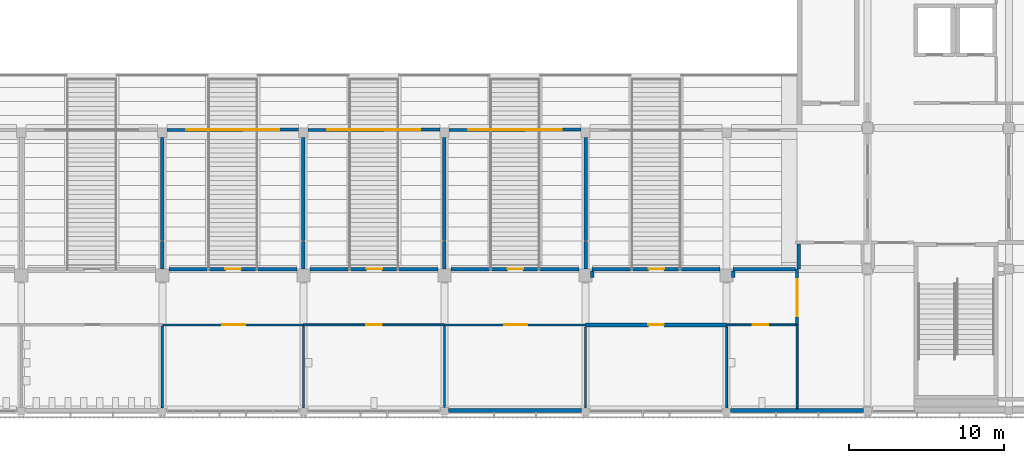
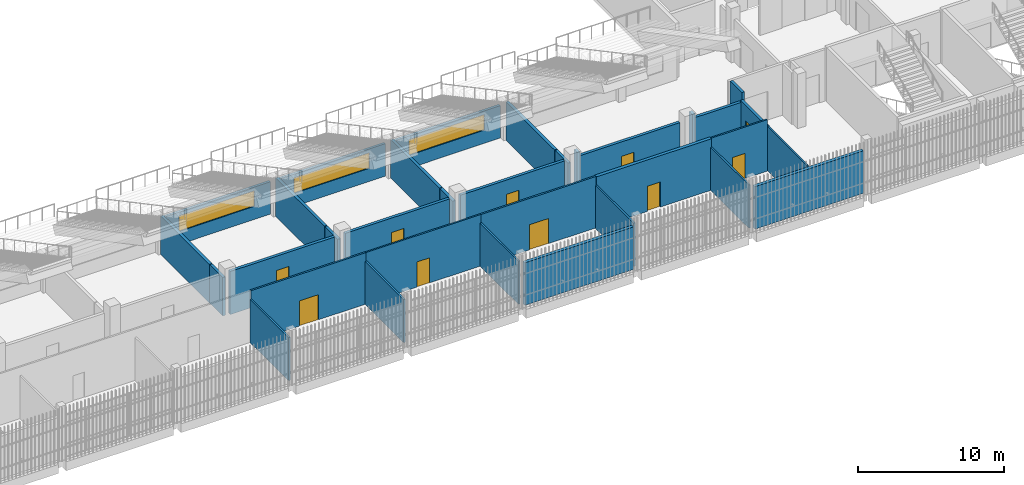
# One storey, part 78 of 139: 33 walls, 10 doors, 3 windows, 13 openings.
"""IFC4 building model written with IfcOpenShell, lengths in metres."""

import ifcopenshell
import ifcopenshell.guid

model = None  # the IFC model being written
_history = None  # IfcOwnerHistory: only IFC2X3 demands one
_inside = {}  # id of a spatial element -> (the spatial element, [elements in it])
_under = {}  # id of a project, library or spatial element -> (it, [spatial elements below it])
_declared = {}  # id of a project -> (the project, [libraries it declares])
_typed = {}  # id of a type object -> (the type object, [elements of that type])
_made_of = {}  # id of a material, layer set ... -> (it, [elements and type objects made of it])


def new_model(schema):
    """Start an empty IFC model of exactly this schema.

    Asked for "IFC4X3", IfcOpenShell would pick the latest addendum, in which some entities
    have other attributes; the version numbers below select the first issue.
    IFC2X3 requires an IfcOwnerHistory on every rooted entity: one is made here for all.
    """
    global model, _history
    if schema == "IFC4X3":
        model = ifcopenshell.file(schema_version=(4, 3, 0, 0))
    else:
        model = ifcopenshell.file(schema=schema)
    _inside.clear()
    _under.clear()
    _declared.clear()
    _typed.clear()
    _made_of.clear()
    _history = None
    if model.schema == "IFC2X3":
        org = make("IfcOrganization", Name="unknown")
        user = make(
            "IfcPersonAndOrganization",
            ThePerson=make("IfcPerson", FamilyName="unknown"),
            TheOrganization=org,
        )
        app = make(
            "IfcApplication",
            ApplicationDeveloper=org,
            Version="unknown",
            ApplicationFullName="unknown",
            ApplicationIdentifier="unknown",
        )
        _history = make(
            "IfcOwnerHistory",
            OwningUser=user,
            OwningApplication=app,
            ChangeAction="ADDED",
            CreationDate=0,
        )
    return model


def make(cls, **values):
    """One entity of the class cls with the attributes given. An attribute that is None is left unset."""
    return model.create_entity(
        cls, **{name: value for name, value in values.items() if value is not None}
    )


def rooted(cls, **values):
    """An entity with a GlobalId (a new one), such as an element, a storey or a relation."""
    return make(cls, GlobalId=ifcopenshell.guid.new(), OwnerHistory=_history, **values)


def si_unit(unit_type, name, prefix=None):
    """IfcSIUnit, for example si_unit("LENGTHUNIT", "METRE", prefix="MILLI")."""
    return make("IfcSIUnit", UnitType=unit_type, Prefix=prefix, Name=name)


def assignment(units):
    """IfcUnitAssignment: the units of a project."""
    return None if units is None else make("IfcUnitAssignment", Units=units)


def point(xyz):
    """IfcCartesianPoint."""
    return None if xyz is None else make("IfcCartesianPoint", Coordinates=xyz)


def direction(xyz):
    """IfcDirection."""
    return None if xyz is None else make("IfcDirection", DirectionRatios=xyz)


def frame(location, z_axis=None, x_axis=None):
    """IfcAxis2Placement3D, a coordinate frame: its origin and axes. An axis left out is left unset."""
    return make(
        "IfcAxis2Placement3D",
        Location=point(location),
        Axis=direction(z_axis),
        RefDirection=direction(x_axis),
    )


def frame_2d(location, x_axis=None):
    """IfcAxis2Placement2D, a coordinate frame in the plane: its origin and x axis."""
    return make(
        "IfcAxis2Placement2D", Location=point(location), RefDirection=direction(x_axis)
    )


def origin():
    """The frame at (0, 0, 0) with its axes left unset."""
    return frame((0.0, 0.0, 0.0))


def place(relative_to, where):
    """IfcLocalPlacement: puts the frame where relative to a parent placement (None: the world)."""
    return make(
        "IfcLocalPlacement", PlacementRelTo=relative_to, RelativePlacement=where
    )


def context(
    kind, dimensions, precision=None, world=None, true_north=None, identifier=None
):
    """IfcGeometricRepresentationContext, for example the 3D "Model" context."""
    return make(
        "IfcGeometricRepresentationContext",
        ContextIdentifier=identifier,
        ContextType=kind,
        CoordinateSpaceDimension=dimensions,
        Precision=precision,
        WorldCoordinateSystem=world,
        TrueNorth=true_north,
    )


def subcontext(parent, identifier, kind, view, scale=None):
    """IfcGeometricRepresentationSubContext, for example "Body" below "Model"."""
    return make(
        "IfcGeometricRepresentationSubContext",
        ContextIdentifier=identifier,
        ContextType=kind,
        ParentContext=parent,
        TargetScale=scale,
        TargetView=view,
    )


def project(units=None, contexts=None):
    """IfcProject with its units and contexts."""
    return rooted(
        "IfcProject",
        Name="project",
        RepresentationContexts=contexts,
        UnitsInContext=assignment(units),
    )


def spatial(cls, under=None, at=None, **own):
    """A site, building, storey or space (cls), placed at a placement, below another one or the project."""
    s = rooted(cls, ObjectPlacement=at, **own)
    if under is not None:
        _under.setdefault(under.id(), (under, []))[1].append(s)
    return s


def profile(cls, at=None, kind="AREA", **sizes):
    """A parametric profile (cls). Its sizes go by their IFC names, for example OverallWidth=200.0."""
    return make(cls, ProfileType=kind, Position=at, **sizes)


def rectangle(**sizes):
    """IfcRectangleProfileDef."""
    return profile("IfcRectangleProfileDef", **sizes)


def extrude(swept, where, along, depth):
    """IfcExtrudedAreaSolid: the profile swept, set in the frame where, extruded along a direction by depth."""
    return make(
        "IfcExtrudedAreaSolid",
        SweptArea=swept,
        Position=where,
        ExtrudedDirection=direction(along),
        Depth=depth,
    )


def shape(context_of_items, identifier, shape_type, items):
    """IfcShapeRepresentation: the items that make up one representation, for example the "Body"."""
    return make(
        "IfcShapeRepresentation",
        ContextOfItems=context_of_items,
        RepresentationIdentifier=identifier,
        RepresentationType=shape_type,
        Items=items,
    )


def material(Name=None, Category=None):
    """IfcMaterial."""
    return make("IfcMaterial", Name=Name, Category=Category)


def layer(
    of_material, thickness, ventilated=None, Name=None, Category=None, Priority=None
):
    """IfcMaterialLayer: one layer of a wall or slab, of a material (None: an air gap)."""
    return make(
        "IfcMaterialLayer",
        Material=of_material,
        LayerThickness=thickness,
        IsVentilated=ventilated,
        Name=Name,
        Category=Category,
        Priority=Priority,
    )


def layer_set(layers, Name=None):
    """IfcMaterialLayerSet."""
    return make("IfcMaterialLayerSet", MaterialLayers=layers, LayerSetName=Name)


def made_of(thing, what):
    """Note that an element or type object is made of a material, layer set ...; save() writes the relation."""
    if what is not None:
        _made_of.setdefault(what.id(), (what, []))[1].append(thing)
    return thing


def type_object(cls, material=None, **own):
    """A type object (cls), such as IfcWallType, which elements share."""
    return made_of(rooted(cls, **own), material)


def element(
    cls,
    number,
    at=None,
    inside=None,
    cuts=None,
    type_object=None,
    material=None,
    context=None,
    identifier="Body",
    shape_type=None,
    held_by="IfcProductDefinitionShape",
    body=None,
    shapes=None,
    **own,
):
    """One element of the class cls, such as IfcWall. Its Tag is "e" and its number.

    at: its placement. inside: the storey or other place that contains it. cuts: it is an
    opening in that element (IfcRelVoidsElement). A single representation is given by context,
    identifier, shape_type and body (its items); several are given by shapes. held_by: the class
    of the entity that holds the representations. save() writes the other relations.
    """
    e = rooted(cls, Tag="e%d" % number, ObjectPlacement=at, **own)
    if body is not None:
        shapes = [shape(context, identifier, shape_type, body)]
    if shapes is not None:
        e.Representation = make(held_by, Representations=shapes)
    if inside is not None:
        _inside.setdefault(inside.id(), (inside, []))[1].append(e)
    if cuts is not None:
        rooted(
            "IfcRelVoidsElement", RelatingBuildingElement=cuts, RelatedOpeningElement=e
        )
    if type_object is not None:
        _typed.setdefault(type_object.id(), (type_object, []))[1].append(e)
    return made_of(e, material)


def fill(opening, filler):
    """IfcRelFillsElement: the door or window that sits in an opening."""
    return rooted(
        "IfcRelFillsElement",
        RelatingOpeningElement=opening,
        RelatedBuildingElement=filler,
    )


def aggregate(whole, parts):
    """IfcRelAggregates: a whole, such as a stair, and the parts it consists of."""
    return rooted("IfcRelAggregates", RelatingObject=whole, RelatedObjects=parts)


def save(model, path):
    """Write the relations noted so far, then the file.

    IfcRelAggregates (storeys below a building ...), IfcRelContainedInSpatialStructure (elements
    in a storey), IfcRelDefinesByType, IfcRelAssociatesMaterial and IfcRelDeclares: one each for
    every whole, place, type object, material and project.
    """
    for whole, parts in _under.values():
        aggregate(whole, parts)
    for where, things in _inside.values():
        rooted(
            "IfcRelContainedInSpatialStructure",
            RelatedElements=things,
            RelatingStructure=where,
        )
    for kind, things in _typed.values():
        rooted("IfcRelDefinesByType", RelatedObjects=things, RelatingType=kind)
    for what, things in _made_of.values():
        rooted("IfcRelAssociatesMaterial", RelatedObjects=things, RelatingMaterial=what)
    for by, libraries in _declared.values():
        rooted("IfcRelDeclares", RelatingContext=by, RelatedDefinitions=libraries)
    model.write(path)


model = new_model("IFC4")

# Units and contexts
model_context = context("Model", 3, precision=1e-05, world=origin(), true_north=direction((0.0, 1.0)))
body_context = subcontext(model_context, "Body", "Model", "MODEL_VIEW")
ifc_project = project(units=[si_unit("LENGTHUNIT", "METRE"), si_unit("AREAUNIT", "SQUARE_METRE"), si_unit("VOLUMEUNIT", "CUBIC_METRE"), si_unit("PLANEANGLEUNIT", "RADIAN"), si_unit("MASSUNIT", "GRAM", prefix="KILO")], contexts=[model_context])

# Site, building, storey
site_placement = place(None, origin())
site = spatial("IfcSite", under=ifc_project, at=site_placement, CompositionType="ELEMENT")
building_placement = place(site_placement, origin())
building = spatial("IfcBuilding", under=site, at=building_placement, Name="Shirokan Park Arena", CompositionType="ELEMENT")
storey_placement = place(building_placement, frame((0.0, 0.0, 15.469970703125)))
storey = spatial("IfcBuildingStorey", under=building, at=storey_placement, Name="L03", CompositionType="ELEMENT", Elevation=15.469970703125)

# Wall, opening, window
ifc_material_1 = material(Name="Cedar timber lining", Category="wood")
ifc_layer_1 = layer(ifc_material_1, 0.02001953125, Name="Cedar timber lining")
ifc_material_2 = material(Name="Plywood", Category="wood")
ifc_layer_2 = layer(ifc_material_2, 0.01806640625, Name="Plywood")
ifc_material_3 = material(Name="Mineral wool insulation")
ifc_layer_3 = layer(ifc_material_3, 0.14208984375, Name="Mineral wool insulation")
ifc_material_4 = material(Name="Gypsum board")
ifc_layer_4 = layer(ifc_material_4, 0.02001953125, Name="Gypsum board")
ifc_layer_set_1 = layer_set([ifc_layer_1, ifc_layer_2, ifc_layer_3, ifc_layer_4], Name="Cedar timber lining + Plywood + Mineral wool insulation + Gypsum board")
wall_type_1 = type_object("IfcWallType", Name="Bowl front wall 200", PredefinedType="PARTITIONING", material=ifc_layer_set_1)
wall_1_placement = place(storey_placement, frame((64.0, 18.071044921875, 0.0), z_axis=(0.0, 0.0, 1.0), x_axis=(0.999994544879, 0.003303061025, 0.0)))
wall_1 = element("IfcWall", 1, at=wall_1_placement, inside=storey, type_object=wall_type_1, Name="Bowl front wall 200 L03", PredefinedType="PARTITIONING", context=body_context, shape_type="SweptSolid", body=[
    extrude(rectangle(XDim=8.5, YDim=0.199951171875, at=frame_2d((4.25, 0.0))), origin(), (0.0, 0.0, 1.0), 2.7099609375),
])
opening_1_placement = place(wall_1_placement, frame((1.25, 0.0, 1.10009765625)))
opening_1 = element("IfcOpeningElement", 2, at=opening_1_placement, cuts=wall_1, Name="Opening W8", PredefinedType="OPENING", context=body_context, shape_type="SweptSolid", body=[
    extrude(rectangle(XDim=6.0, YDim=1.300048828125, at=frame_2d((3.0, 0.64990234375))), frame((0.0, 0.10986328125, 0.0), z_axis=(0.0, -1.0, 0.0), x_axis=(1.0, 0.0, 0.0)), (0.0, 0.0, 1.0), 0.219970703125),
])
ifc_material_5 = material(Name="Aluminium frame with laminated glass", Category="aluminium")
window_type = type_object("IfcWindowType", Name="Suite viewing window 6000 x 1300", PartitioningType="SINGLE_PANEL", PredefinedType="WINDOW", material=ifc_material_5)
window_1_placement = place(opening_1_placement, origin())
window_1 = element("IfcWindow", 3, at=window_1_placement, inside=storey, type_object=window_type, Name="Suite viewing window 6000 x 1300 L03", OverallHeight=1.300048828125, OverallWidth=6.0, PartitioningType="SINGLE_PANEL", PredefinedType="WINDOW", context=body_context, shape_type="SweptSolid", body=[
    extrude(rectangle(XDim=6.0, YDim=1.300048828125, at=frame_2d((3.0, 0.64990234375))), frame((0.0, 0.030029296875, 0.0), z_axis=(0.0, -1.0, 0.0), x_axis=(1.0, 0.0, 0.0)), (0.0, 0.0, 1.0), 0.06005859375),
])
fill(opening_1, window_1)

wall_2_placement = place(storey_placement, frame((73.10009765625, 18.071044921875, 0.0), z_axis=(0.0, 0.0, 1.0), x_axis=(0.999994544879, 0.003303061025, 0.0)))
wall_2 = element("IfcWall", 4, at=wall_2_placement, inside=storey, type_object=wall_type_1, Name="Bowl front wall 200 L03", PredefinedType="PARTITIONING", context=body_context, shape_type="SweptSolid", body=[
    extrude(rectangle(XDim=8.5, YDim=0.199951171875, at=frame_2d((4.25, 0.0))), origin(), (0.0, 0.0, 1.0), 2.7099609375),
])
opening_2_placement = place(wall_2_placement, frame((1.25, 0.0, 1.10009765625)))
opening_2 = element("IfcOpeningElement", 5, at=opening_2_placement, cuts=wall_2, Name="Opening W8", PredefinedType="OPENING", context=body_context, shape_type="SweptSolid", body=[
    extrude(rectangle(XDim=6.0, YDim=1.300048828125, at=frame_2d((3.0, 0.64990234375))), frame((0.0, 0.10986328125, 0.0), z_axis=(0.0, -1.0, 0.0), x_axis=(1.0, 0.0, 0.0)), (0.0, 0.0, 1.0), 0.219970703125),
])
window_2_placement = place(opening_2_placement, origin())
window_2 = element("IfcWindow", 6, at=window_2_placement, inside=storey, type_object=window_type, Name="Suite viewing window 6000 x 1300 L03", OverallHeight=1.300048828125, OverallWidth=6.0, PartitioningType="SINGLE_PANEL", PredefinedType="WINDOW", context=body_context, shape_type="SweptSolid", body=[
    extrude(rectangle(XDim=6.0, YDim=1.300048828125, at=frame_2d((3.0, 0.64990234375))), frame((0.0, 0.030029296875, 0.0), z_axis=(0.0, -1.0, 0.0), x_axis=(1.0, 0.0, 0.0)), (0.0, 0.0, 1.0), 0.06005859375),
])
fill(opening_2, window_2)

wall_3_placement = place(storey_placement, frame((82.199951171875, 18.071044921875, 0.0), z_axis=(0.0, 0.0, 1.0), x_axis=(0.999994544879, 0.003303061025, 0.0)))
wall_3 = element("IfcWall", 7, at=wall_3_placement, inside=storey, type_object=wall_type_1, Name="Bowl front wall 200 L03", PredefinedType="PARTITIONING", context=body_context, shape_type="SweptSolid", body=[
    extrude(rectangle(XDim=8.5, YDim=0.199951171875, at=frame_2d((4.25, 0.0))), origin(), (0.0, 0.0, 1.0), 2.7099609375),
])
opening_3_placement = place(wall_3_placement, frame((1.25, 0.0, 1.10009765625)))
opening_3 = element("IfcOpeningElement", 8, at=opening_3_placement, cuts=wall_3, Name="Opening W8", PredefinedType="OPENING", context=body_context, shape_type="SweptSolid", body=[
    extrude(rectangle(XDim=6.0, YDim=1.300048828125, at=frame_2d((3.0, 0.64990234375))), frame((0.0, 0.10986328125, 0.0), z_axis=(0.0, -1.0, 0.0), x_axis=(1.0, 0.0, 0.0)), (0.0, 0.0, 1.0), 0.219970703125),
])
window_3_placement = place(opening_3_placement, origin())
window_3 = element("IfcWindow", 9, at=window_3_placement, inside=storey, type_object=window_type, Name="Suite viewing window 6000 x 1300 L03", OverallHeight=1.300048828125, OverallWidth=6.0, PartitioningType="SINGLE_PANEL", PredefinedType="WINDOW", context=body_context, shape_type="SweptSolid", body=[
    extrude(rectangle(XDim=6.0, YDim=1.300048828125, at=frame_2d((3.0, 0.64990234375))), frame((0.0, 0.030029296875, 0.0), z_axis=(0.0, -1.0, 0.0), x_axis=(1.0, 0.0, 0.0)), (0.0, 0.0, 1.0), 0.06005859375),
])
fill(opening_3, window_3)

# Wall, opening, door
ifc_material_6 = material(Name="Plaster")
ifc_layer_5 = layer(ifc_material_6, 0.014892578125, Name="Plaster")
ifc_material_7 = material(Name="Concrete blockwork", Category="masonry")
ifc_layer_6 = layer(ifc_material_7, 0.219970703125, Name="Concrete blockwork 220")
ifc_layer_7 = layer(ifc_material_6, 0.014892578125, Name="Plaster")
ifc_layer_set_2 = layer_set([ifc_layer_5, ifc_layer_6, ifc_layer_7], Name="Plaster + Concrete blockwork 220")
wall_type_2 = type_object("IfcWallType", Name="Compartment wall 250", PredefinedType="SOLIDWALL", material=ifc_layer_set_2)
wall_4_placement = place(storey_placement, frame((100.10009765625, 5.5, 0.0), z_axis=(0.0, 0.0, 1.0), x_axis=(-1.0, 0.0, 0.0)))
wall_4 = element("IfcWall", 10, at=wall_4_placement, inside=storey, type_object=wall_type_2, Name="Compartment wall 250 L03", PredefinedType="SOLIDWALL", context=body_context, shape_type="SweptSolid", body=[
    extrude(rectangle(XDim=9.10009765625, YDim=0.25, at=frame_2d((4.550048828125, 0.0))), origin(), (0.0, 0.0, 1.0), 4.300048828125),
])
opening_4_placement = place(wall_4_placement, frame((4.050048828125, 0.0, 0.0)))
opening_4 = element("IfcOpeningElement", 11, at=opening_4_placement, cuts=wall_4, Name="Opening D-3067", PredefinedType="OPENING", context=body_context, shape_type="SweptSolid", body=[
    extrude(rectangle(XDim=1.0, YDim=2.10009765625, at=frame_2d((0.5, 1.050048828125))), frame((0.0, 0.135009765625, 0.0), z_axis=(0.0, -1.0, 0.0), x_axis=(1.0, 0.0, 0.0)), (0.0, 0.0, 1.0), 0.27001953125),
])
ifc_material_8 = material(Name="Timber door set, fire resisting", Category="wood")
door_type_1 = type_object("IfcDoorType", Name="Door 1000 x 2100", OperationType="SINGLE_SWING_LEFT", PredefinedType="DOOR", material=ifc_material_8)
door_1_placement = place(opening_4_placement, origin())
door_1 = element("IfcDoor", 12, at=door_1_placement, inside=storey, type_object=door_type_1, Name="Door to Hospitality Store 3.17 D-3067", OperationType="SINGLE_SWING_LEFT", OverallHeight=2.10009765625, OverallWidth=1.0, PredefinedType="DOOR", context=body_context, shape_type="SweptSolid", body=[
    extrude(rectangle(XDim=1.0, YDim=2.10009765625, at=frame_2d((0.5, 1.050048828125))), frame((0.0, 0.02490234375, 0.0), z_axis=(0.0, -1.0, 0.0), x_axis=(1.0, 0.0, 0.0)), (0.0, 0.0, 1.0), 0.050048828125),
])
fill(opening_4, door_1)

ifc_layer_8 = layer(ifc_material_4, 0.02490234375, Name="Gypsum board, two layers")
ifc_layer_9 = layer(ifc_material_3, 0.14990234375, Name="Mineral wool insulation")
ifc_layer_10 = layer(ifc_material_4, 0.02490234375, Name="Gypsum board, two layers")
ifc_layer_set_3 = layer_set([ifc_layer_8, ifc_layer_9, ifc_layer_10], Name="Gypsum board, two layers + Mineral wool insulation")
wall_type_3 = type_object("IfcWallType", Name="Corridor wall 200", PredefinedType="PARTITIONING", material=ifc_layer_set_3)
wall_5_placement = place(storey_placement, frame((104.64990234375, 5.5, 0.0), z_axis=(0.0, 0.0, 1.0), x_axis=(0.0, 1.0, 0.0)))
wall_5 = element("IfcWall", 13, at=wall_5_placement, inside=storey, type_object=wall_type_3, Name="Corridor wall 200 L03", PredefinedType="PARTITIONING", context=body_context, shape_type="SweptSolid", body=[
    extrude(rectangle(XDim=3.60009765625, YDim=0.199951171875, at=frame_2d((1.800048828125, 0.0))), origin(), (0.0, 0.0, 1.0), 3.699951171875),
])
opening_5_placement = place(wall_5_placement, frame((0.550048828125, 0.0, 0.0)))
opening_5 = element("IfcOpeningElement", 14, at=opening_5_placement, cuts=wall_5, Name="Opening D-3111", PredefinedType="OPENING", context=body_context, shape_type="SweptSolid", body=[
    extrude(rectangle(XDim=2.39990234375, YDim=2.39990234375, at=frame_2d((1.199951171875, 1.199951171875))), frame((0.0, 0.10986328125, 0.0), z_axis=(0.0, -1.0, 0.0), x_axis=(1.0, 0.0, 0.0)), (0.0, 0.0, 1.0), 0.219970703125),
])
ifc_material_9 = material(Name="Steel door set, fire resisting", Category="steel")
door_type_2 = type_object("IfcDoorType", Name="Double door 2400 x 2400", OperationType="DOUBLE_DOOR_SINGLE_SWING", PredefinedType="DOOR", material=ifc_material_9)
door_2_placement = place(opening_5_placement, origin())
door_2 = element("IfcDoor", 15, at=door_2_placement, inside=storey, type_object=door_type_2, Name="Door between Ring Link 2.3 and Suite Corridor 3.01 D-3111", OperationType="DOUBLE_DOOR_SINGLE_SWING", OverallHeight=2.39990234375, OverallWidth=2.39990234375, PredefinedType="DOOR", context=body_context, shape_type="SweptSolid", body=[
    extrude(rectangle(XDim=2.39990234375, YDim=2.39990234375, at=frame_2d((1.199951171875, 1.199951171875))), frame((0.0, 0.02490234375, 0.0), z_axis=(0.0, -1.0, 0.0), x_axis=(1.0, 0.0, 0.0)), (0.0, 0.0, 1.0), 0.050048828125),
])
fill(opening_5, door_2)

# Walls
ifc_material_10 = material(Name="Ceramic tile")
ifc_layer_11 = layer(ifc_material_10, 0.010009765625, Name="Ceramic tile")
ifc_material_11 = material(Name="Render")
ifc_layer_12 = layer(ifc_material_11, 0.010009765625, Name="Render")
ifc_layer_13 = layer(ifc_material_7, 0.10009765625, Name="Concrete blockwork 100")
ifc_layer_14 = layer(ifc_material_11, 0.010009765625, Name="Render")
ifc_layer_15 = layer(ifc_material_10, 0.010009765625, Name="Ceramic tile")
ifc_layer_set_4 = layer_set([ifc_layer_11, ifc_layer_12, ifc_layer_13, ifc_layer_14, ifc_layer_15], Name="Ceramic tile + Render + Concrete blockwork 100")
wall_type_4 = type_object("IfcWallType", Name="Kitchen wall 140", PredefinedType="SOLIDWALL", material=ifc_layer_set_4)
for number, where, z_axis, x_axis, name in (
    (16, (63.699951171875, 5.429931640625, 0.0), (0.0, 0.0, 1.0), (0.0, -1.0, 0.0), "Kitchen wall 140 L03"),
    (17, (72.800048828125, 5.429931640625, 0.0), (0.0, 0.0, 1.0), (0.0, -1.0, 0.0), "Kitchen wall 140 L03"),
):
    element("IfcWall", number, at=place(storey_placement, frame(where, z_axis=z_axis, x_axis=x_axis)), inside=storey, type_object=wall_type_4, Name=name, PredefinedType="SOLIDWALL", context=body_context, shape_type="SweptSolid", body=[
        extrude(rectangle(XDim=5.280029296875, YDim=0.139892578125, at=frame_2d((2.64013671875, 0.0))), origin(), (0.0, 0.0, 1.0), 3.60009765625),
    ])

# Wall, opening, door
wall_6_placement = place(storey_placement, frame((72.800048828125, 5.5, 0.0), z_axis=(0.0, 0.0, 1.0), x_axis=(-1.0, 0.0, 0.0)))
wall_6 = element("IfcWall", 18, at=wall_6_placement, inside=storey, type_object=wall_type_4, Name="Kitchen wall 140 L03", PredefinedType="SOLIDWALL", context=body_context, shape_type="SweptSolid", body=[
    extrude(rectangle(XDim=9.10009765625, YDim=0.139892578125, at=frame_2d((4.550048828125, 0.0))), origin(), (0.0, 0.0, 1.0), 4.300048828125),
])
opening_6_placement = place(wall_6_placement, frame((3.75, 0.0, 0.0)))
opening_6 = element("IfcOpeningElement", 19, at=opening_6_placement, cuts=wall_6, Name="Opening D-3064", PredefinedType="OPENING", context=body_context, shape_type="SweptSolid", body=[
    extrude(rectangle(XDim=1.5, YDim=2.10009765625, at=frame_2d((0.75, 1.050048828125))), frame((0.0, 0.079833984375, 0.0), z_axis=(0.0, -1.0, 0.0), x_axis=(1.0, 0.0, 0.0)), (0.0, 0.0, 1.0), 0.159912109375),
])
ifc_material_12 = material(Name="Stainless steel door set, fire resisting", Category="steel")
door_type_3 = type_object("IfcDoorType", Name="Kitchen door 1500 x 2100", OperationType="DOUBLE_DOOR_SINGLE_SWING", PredefinedType="DOOR", material=ifc_material_12)
door_3_placement = place(opening_6_placement, origin())
door_3 = element("IfcDoor", 20, at=door_3_placement, inside=storey, type_object=door_type_3, Name="Door to Suite Pantry 3.14 D-3064", OperationType="DOUBLE_DOOR_SINGLE_SWING", OverallHeight=2.10009765625, OverallWidth=1.5, PredefinedType="DOOR", context=body_context, shape_type="SweptSolid", body=[
    extrude(rectangle(XDim=1.5, YDim=2.10009765625, at=frame_2d((0.75, 1.050048828125))), frame((0.0, 0.02490234375, 0.0), z_axis=(0.0, -1.0, 0.0), x_axis=(1.0, 0.0, 0.0)), (0.0, 0.0, 1.0), 0.050048828125),
])
fill(opening_6, door_3)

# Walls
wall_7_placement = place(storey_placement, frame((81.89990234375, 5.429931640625, 0.0), z_axis=(0.0, 0.0, 1.0), x_axis=(0.0, -1.0, 0.0)))
element("IfcWall", 21, at=wall_7_placement, inside=storey, type_object=wall_type_4, Name="Kitchen wall 140 L03", PredefinedType="SOLIDWALL", context=body_context, shape_type="SweptSolid", body=[
    extrude(rectangle(XDim=5.2548828125, YDim=0.139892578125, at=frame_2d((2.62744140625, 0.0))), origin(), (0.0, 0.0, 1.0), 3.60009765625),
])
wall_8_placement = place(storey_placement, frame((91.0, 5.375, 0.0), z_axis=(0.0, 0.0, 1.0), x_axis=(0.0, -1.0, 0.0)))
element("IfcWall", 22, at=wall_8_placement, inside=storey, type_object=wall_type_4, Name="Kitchen wall 140 L03", PredefinedType="SOLIDWALL", context=body_context, shape_type="SweptSolid", body=[
    extrude(rectangle(XDim=5.22509765625, YDim=0.139892578125, at=frame_2d((2.612548828125, 0.0))), origin(), (0.0, 0.0, 1.0), 3.60009765625),
])

# Wall, opening, door
wall_9_placement = place(storey_placement, frame((91.0, 5.5, 0.0), z_axis=(0.0, 0.0, 1.0), x_axis=(-1.0, 0.0, 0.0)))
wall_9 = element("IfcWall", 23, at=wall_9_placement, inside=storey, type_object=wall_type_4, Name="Kitchen wall 140 L03", PredefinedType="SOLIDWALL", context=body_context, shape_type="SweptSolid", body=[
    extrude(rectangle(XDim=9.10009765625, YDim=0.139892578125, at=frame_2d((4.550048828125, 0.0))), origin(), (0.0, 0.0, 1.0), 4.300048828125),
])
opening_7_placement = place(wall_9_placement, frame((3.75, 0.0, 0.0)))
opening_7 = element("IfcOpeningElement", 24, at=opening_7_placement, cuts=wall_9, Name="Opening D-3066", PredefinedType="OPENING", context=body_context, shape_type="SweptSolid", body=[
    extrude(rectangle(XDim=1.5, YDim=2.10009765625, at=frame_2d((0.75, 1.050048828125))), frame((0.0, 0.079833984375, 0.0), z_axis=(0.0, -1.0, 0.0), x_axis=(1.0, 0.0, 0.0)), (0.0, 0.0, 1.0), 0.159912109375),
])
door_4_placement = place(opening_7_placement, origin())
door_4 = element("IfcDoor", 25, at=door_4_placement, inside=storey, type_object=door_type_3, Name="Door to Suite Pantry 3.16 D-3066", OperationType="DOUBLE_DOOR_SINGLE_SWING", OverallHeight=2.10009765625, OverallWidth=1.5, PredefinedType="DOOR", context=body_context, shape_type="SweptSolid", body=[
    extrude(rectangle(XDim=1.5, YDim=2.10009765625, at=frame_2d((0.75, 1.050048828125))), frame((0.0, 0.02490234375, 0.0), z_axis=(0.0, -1.0, 0.0), x_axis=(1.0, 0.0, 0.0)), (0.0, 0.0, 1.0), 0.050048828125),
])
fill(opening_7, door_4)

# Walls
ifc_material_13 = material(Name="Concrete C40/50 precast", Category="concrete")
ifc_layer_16 = layer(ifc_material_13, 0.10009765625, Name="Concrete C40/50 precast")
ifc_layer_17 = layer(ifc_material_3, 0.10009765625, Name="Mineral wool insulation")
ifc_material_14 = material(Name="Gypsum board lining")
ifc_layer_18 = layer(ifc_material_14, 0.050048828125, Name="Gypsum board lining")
ifc_layer_set_5 = layer_set([ifc_layer_16, ifc_layer_17, ifc_layer_18], Name="Concrete C40/50 precast + Mineral wool insulation + Gypsum board lining")
wall_type_5 = type_object("IfcWallType", Name="Precast concrete panel wall 250", PredefinedType="SOLIDWALL", material=ifc_layer_set_5)
wall_10_placement = place(storey_placement, frame((82.14990234375, -0.02490234375, 0.0), z_axis=(0.0, 0.0, 1.0), x_axis=(1.0, 0.0, 0.0)))
element("IfcWall", 26, at=wall_10_placement, inside=storey, type_object=wall_type_5, Name="South facade wall bay 10 L03", PredefinedType="SOLIDWALL", context=body_context, shape_type="SweptSolid", body=[
    extrude(rectangle(XDim=8.60009765625, YDim=0.25, at=frame_2d((4.300048828125, 0.0))), origin(), (0.0, 0.0, 1.0), 3.550048828125),
])
wall_11_placement = place(storey_placement, frame((100.35009765625, -0.02490234375, 0.0), z_axis=(0.0, 0.0, 1.0), x_axis=(1.0, 0.0, 0.0)))
element("IfcWall", 27, at=wall_11_placement, inside=storey, type_object=wall_type_5, Name="South facade wall bay 12 L03", PredefinedType="SOLIDWALL", context=body_context, shape_type="SweptSolid", body=[
    extrude(rectangle(XDim=8.574951171875, YDim=0.25, at=frame_2d((4.28759765625, 0.0))), origin(), (0.0, 0.0, 1.0), 3.550048828125),
])
ifc_layer_19 = layer(ifc_material_4, 0.02490234375, Name="Gypsum board, two layers")
ifc_layer_20 = layer(ifc_material_3, 0.074951171875, Name="Mineral wool insulation")
ifc_material_15 = material(Name="Air cavity")
ifc_layer_21 = layer(ifc_material_15, 0.02490234375, Name="Air cavity")
ifc_layer_22 = layer(ifc_material_3, 0.074951171875, Name="Mineral wool insulation")
ifc_layer_23 = layer(ifc_material_4, 0.02490234375, Name="Gypsum board, two layers")
ifc_layer_set_6 = layer_set([ifc_layer_19, ifc_layer_20, ifc_layer_21, ifc_layer_22, ifc_layer_23], Name="Gypsum board, two layers + Mineral wool insulation + Air cavity")
wall_type_6 = type_object("IfcWallType", Name="Suite party wall 225", PredefinedType="PARTITIONING", material=ifc_layer_set_6)
wall_12_placement = place(storey_placement, frame((63.699951171875, 10.8701171875, 0.0), z_axis=(0.0, 0.0, 1.0), x_axis=(0.0, -1.0, 0.0)))
element("IfcWall", 28, at=wall_12_placement, inside=storey, type_object=wall_type_6, Name="Suite party wall 225 L03", PredefinedType="PARTITIONING", context=body_context, shape_type="SweptSolid", body=[
    extrude(rectangle(XDim=1.77001953125, YDim=0.22509765625, at=frame_2d((0.885009765625, 0.0))), origin(), (0.0, 0.0, 1.0), 3.219970703125),
])
wall_13_placement = place(storey_placement, frame((63.699951171875, 17.60009765625, 0.0), z_axis=(0.0, 0.0, 1.0), x_axis=(0.0, -1.0, 0.0)))
element("IfcWall", 29, at=wall_13_placement, inside=storey, type_object=wall_type_6, Name="Suite party wall 225 L03", PredefinedType="PARTITIONING", context=body_context, shape_type="SweptSolid", body=[
    extrude(rectangle(XDim=6.670166015625, YDim=0.22509765625, at=frame_2d((3.3349609375, 0.0))), origin(), (0.0, 0.0, 1.0), 3.219970703125),
])

# Wall, opening, door
wall_14_placement = place(storey_placement, frame((64.125, 9.10009765625, 0.0), z_axis=(0.0, 0.0, 1.0), x_axis=(1.0, 0.0, 0.0)))
wall_14 = element("IfcWall", 30, at=wall_14_placement, inside=storey, type_object=wall_type_6, Name="Suite party wall 225 L03", PredefinedType="PARTITIONING", context=body_context, shape_type="SweptSolid", body=[
    extrude(rectangle(XDim=8.25, YDim=0.22509765625, at=frame_2d((4.125, 0.0))), origin(), (0.0, 0.0, 1.0), 3.60009765625),
])
opening_8_placement = place(wall_14_placement, frame((3.64990234375, 0.0, 0.0)))
opening_8 = element("IfcOpeningElement", 31, at=opening_8_placement, cuts=wall_14, Name="Opening D-3071", PredefinedType="OPENING", context=body_context, shape_type="SweptSolid", body=[
    extrude(rectangle(XDim=1.0, YDim=2.39990234375, at=frame_2d((0.5, 1.199951171875))), frame((0.0, 0.12255859375, 0.0), z_axis=(0.0, -1.0, 0.0), x_axis=(1.0, 0.0, 0.0)), (0.0, 0.0, 1.0), 0.2451171875),
])
ifc_material_16 = material(Name="Glazed timber door set, fire resisting", Category="wood")
door_type_4 = type_object("IfcDoorType", Name="Suite door 1000 x 2400", OperationType="SINGLE_SWING_LEFT", PredefinedType="DOOR", material=ifc_material_16)
door_5_placement = place(opening_8_placement, origin())
door_5 = element("IfcDoor", 32, at=door_5_placement, inside=storey, type_object=door_type_4, Name="Door to Hospitality Suite 3.13 D-3071", OperationType="SINGLE_SWING_LEFT", OverallHeight=2.39990234375, OverallWidth=1.0, PredefinedType="DOOR", context=body_context, shape_type="SweptSolid", body=[
    extrude(rectangle(XDim=1.0, YDim=2.39990234375, at=frame_2d((0.5, 1.199951171875))), frame((0.0, 0.02490234375, 0.0), z_axis=(0.0, -1.0, 0.0), x_axis=(1.0, 0.0, 0.0)), (0.0, 0.0, 1.0), 0.050048828125),
])
fill(opening_8, door_5)

# Walls
wall_15_placement = place(storey_placement, frame((72.800048828125, 10.8701171875, 0.0), z_axis=(0.0, 0.0, 1.0), x_axis=(0.0, -1.0, 0.0)))
element("IfcWall", 33, at=wall_15_placement, inside=storey, type_object=wall_type_6, Name="Suite party wall 225 L03", PredefinedType="PARTITIONING", context=body_context, shape_type="SweptSolid", body=[
    extrude(rectangle(XDim=1.77001953125, YDim=0.22509765625, at=frame_2d((0.885009765625, 0.0))), origin(), (0.0, 0.0, 1.0), 3.219970703125),
])
wall_16_placement = place(storey_placement, frame((72.800048828125, 17.60009765625, 0.0), z_axis=(0.0, 0.0, 1.0), x_axis=(0.0, -1.0, 0.0)))
element("IfcWall", 34, at=wall_16_placement, inside=storey, type_object=wall_type_6, Name="Suite party wall 225 L03", PredefinedType="PARTITIONING", context=body_context, shape_type="SweptSolid", body=[
    extrude(rectangle(XDim=6.670166015625, YDim=0.22509765625, at=frame_2d((3.3349609375, 0.0))), origin(), (0.0, 0.0, 1.0), 3.219970703125),
])

# Wall, opening, door
wall_17_placement = place(storey_placement, frame((73.22509765625, 9.10009765625, 0.0), z_axis=(0.0, 0.0, 1.0), x_axis=(1.0, 0.0, 0.0)))
wall_17 = element("IfcWall", 35, at=wall_17_placement, inside=storey, type_object=wall_type_6, Name="Suite party wall 225 L03", PredefinedType="PARTITIONING", context=body_context, shape_type="SweptSolid", body=[
    extrude(rectangle(XDim=8.25, YDim=0.22509765625, at=frame_2d((4.125, 0.0))), origin(), (0.0, 0.0, 1.0), 3.60009765625),
])
opening_9_placement = place(wall_17_placement, frame((3.64990234375, 0.0, 0.0)))
opening_9 = element("IfcOpeningElement", 36, at=opening_9_placement, cuts=wall_17, Name="Opening D-3072", PredefinedType="OPENING", context=body_context, shape_type="SweptSolid", body=[
    extrude(rectangle(XDim=1.0, YDim=2.39990234375, at=frame_2d((0.5, 1.199951171875))), frame((0.0, 0.12255859375, 0.0), z_axis=(0.0, -1.0, 0.0), x_axis=(1.0, 0.0, 0.0)), (0.0, 0.0, 1.0), 0.2451171875),
])
door_6_placement = place(opening_9_placement, origin())
door_6 = element("IfcDoor", 37, at=door_6_placement, inside=storey, type_object=door_type_4, Name="Door to Hospitality Suite 3.14 D-3072", OperationType="SINGLE_SWING_LEFT", OverallHeight=2.39990234375, OverallWidth=1.0, PredefinedType="DOOR", context=body_context, shape_type="SweptSolid", body=[
    extrude(rectangle(XDim=1.0, YDim=2.39990234375, at=frame_2d((0.5, 1.199951171875))), frame((0.0, 0.02490234375, 0.0), z_axis=(0.0, -1.0, 0.0), x_axis=(1.0, 0.0, 0.0)), (0.0, 0.0, 1.0), 0.050048828125),
])
fill(opening_9, door_6)

# Walls
wall_18_placement = place(storey_placement, frame((81.89990234375, 10.8701171875, 0.0), z_axis=(0.0, 0.0, 1.0), x_axis=(0.0, -1.0, 0.0)))
element("IfcWall", 38, at=wall_18_placement, inside=storey, type_object=wall_type_6, Name="Suite party wall 225 L03", PredefinedType="PARTITIONING", context=body_context, shape_type="SweptSolid", body=[
    extrude(rectangle(XDim=1.77001953125, YDim=0.22509765625, at=frame_2d((0.885009765625, 0.0))), origin(), (0.0, 0.0, 1.0), 3.219970703125),
])
wall_19_placement = place(storey_placement, frame((81.89990234375, 17.60009765625, 0.0), z_axis=(0.0, 0.0, 1.0), x_axis=(0.0, -1.0, 0.0)))
element("IfcWall", 39, at=wall_19_placement, inside=storey, type_object=wall_type_6, Name="Suite party wall 225 L03", PredefinedType="PARTITIONING", context=body_context, shape_type="SweptSolid", body=[
    extrude(rectangle(XDim=6.670166015625, YDim=0.22509765625, at=frame_2d((3.3349609375, 0.0))), origin(), (0.0, 0.0, 1.0), 3.219970703125),
])

# Wall, opening, door
wall_20_placement = place(storey_placement, frame((82.324951171875, 9.10009765625, 0.0), z_axis=(0.0, 0.0, 1.0), x_axis=(1.0, 0.0, 0.0)))
wall_20 = element("IfcWall", 40, at=wall_20_placement, inside=storey, type_object=wall_type_6, Name="Suite party wall 225 L03", PredefinedType="PARTITIONING", context=body_context, shape_type="SweptSolid", body=[
    extrude(rectangle(XDim=8.25, YDim=0.22509765625, at=frame_2d((4.125, 0.0))), origin(), (0.0, 0.0, 1.0), 3.60009765625),
])
opening_10_placement = place(wall_20_placement, frame((3.64990234375, 0.0, 0.0)))
opening_10 = element("IfcOpeningElement", 41, at=opening_10_placement, cuts=wall_20, Name="Opening D-3073", PredefinedType="OPENING", context=body_context, shape_type="SweptSolid", body=[
    extrude(rectangle(XDim=1.0, YDim=2.39990234375, at=frame_2d((0.5, 1.199951171875))), frame((0.0, 0.12255859375, 0.0), z_axis=(0.0, -1.0, 0.0), x_axis=(1.0, 0.0, 0.0)), (0.0, 0.0, 1.0), 0.2451171875),
])
door_7_placement = place(opening_10_placement, origin())
door_7 = element("IfcDoor", 42, at=door_7_placement, inside=storey, type_object=door_type_4, Name="Door to Hospitality Suite 3.15 D-3073", OperationType="SINGLE_SWING_LEFT", OverallHeight=2.39990234375, OverallWidth=1.0, PredefinedType="DOOR", context=body_context, shape_type="SweptSolid", body=[
    extrude(rectangle(XDim=1.0, YDim=2.39990234375, at=frame_2d((0.5, 1.199951171875))), frame((0.0, 0.02490234375, 0.0), z_axis=(0.0, -1.0, 0.0), x_axis=(1.0, 0.0, 0.0)), (0.0, 0.0, 1.0), 0.050048828125),
])
fill(opening_10, door_7)

# Walls
wall_21_placement = place(storey_placement, frame((91.0, 10.8701171875, 0.0), z_axis=(0.0, 0.0, 1.0), x_axis=(0.0, -1.0, 0.0)))
element("IfcWall", 43, at=wall_21_placement, inside=storey, type_object=wall_type_6, Name="Suite party wall 225 L03", PredefinedType="PARTITIONING", context=body_context, shape_type="SweptSolid", body=[
    extrude(rectangle(XDim=1.77001953125, YDim=0.22509765625, at=frame_2d((0.885009765625, 0.0))), origin(), (0.0, 0.0, 1.0), 3.219970703125),
])
wall_22_placement = place(storey_placement, frame((91.0, 17.60009765625, 0.0), z_axis=(0.0, 0.0, 1.0), x_axis=(0.0, -1.0, 0.0)))
element("IfcWall", 44, at=wall_22_placement, inside=storey, type_object=wall_type_6, Name="Suite party wall 225 L03", PredefinedType="PARTITIONING", context=body_context, shape_type="SweptSolid", body=[
    extrude(rectangle(XDim=6.670166015625, YDim=0.22509765625, at=frame_2d((3.3349609375, 0.0))), origin(), (0.0, 0.0, 1.0), 3.219970703125),
])
wall_23_placement = place(storey_placement, frame((91.425048828125, 8.550048828125, 0.0), z_axis=(0.0, 0.0, 1.0), x_axis=(0.0, 1.0, 0.0)))
element("IfcWall", 45, at=wall_23_placement, inside=storey, type_object=wall_type_6, Name="Suite party wall 225 L03", PredefinedType="PARTITIONING", context=body_context, shape_type="SweptSolid", body=[
    extrude(rectangle(XDim=0.425048828125, YDim=0.22509765625, at=frame_2d((0.21240234375, 0.0))), origin(), (0.0, 0.0, 1.0), 4.300048828125),
])

# Wall, opening, door
wall_24_placement = place(storey_placement, frame((91.425048828125, 9.10009765625, 0.0), z_axis=(0.0, 0.0, 1.0), x_axis=(1.0, 0.0, 0.0)))
wall_24 = element("IfcWall", 46, at=wall_24_placement, inside=storey, type_object=wall_type_6, Name="Suite party wall 225 L03", PredefinedType="PARTITIONING", context=body_context, shape_type="SweptSolid", body=[
    extrude(rectangle(XDim=8.25, YDim=0.22509765625, at=frame_2d((4.125, 0.0))), origin(), (0.0, 0.0, 1.0), 3.60009765625),
])
opening_11_placement = place(wall_24_placement, frame((3.64990234375, 0.0, 0.0)))
opening_11 = element("IfcOpeningElement", 47, at=opening_11_placement, cuts=wall_24, Name="Opening D-3074", PredefinedType="OPENING", context=body_context, shape_type="SweptSolid", body=[
    extrude(rectangle(XDim=1.0, YDim=2.39990234375, at=frame_2d((0.5, 1.199951171875))), frame((0.0, 0.12255859375, 0.0), z_axis=(0.0, -1.0, 0.0), x_axis=(1.0, 0.0, 0.0)), (0.0, 0.0, 1.0), 0.2451171875),
])
door_8_placement = place(opening_11_placement, origin())
door_8 = element("IfcDoor", 48, at=door_8_placement, inside=storey, type_object=door_type_4, Name="Door to Hospitality Suite 3.16 D-3074", OperationType="SINGLE_SWING_LEFT", OverallHeight=2.39990234375, OverallWidth=1.0, PredefinedType="DOOR", context=body_context, shape_type="SweptSolid", body=[
    extrude(rectangle(XDim=1.0, YDim=2.39990234375, at=frame_2d((0.5, 1.199951171875))), frame((0.0, 0.02490234375, 0.0), z_axis=(0.0, -1.0, 0.0), x_axis=(1.0, 0.0, 0.0)), (0.0, 0.0, 1.0), 0.050048828125),
])
fill(opening_11, door_8)

# Walls
wall_25_placement = place(storey_placement, frame((100.52490234375, 8.550048828125, 0.0), z_axis=(0.0, 0.0, 1.0), x_axis=(0.0, 1.0, 0.0)))
element("IfcWall", 49, at=wall_25_placement, inside=storey, type_object=wall_type_6, Name="Suite party wall 225 L03", PredefinedType="PARTITIONING", context=body_context, shape_type="SweptSolid", body=[
    extrude(rectangle(XDim=0.425048828125, YDim=0.22509765625, at=frame_2d((0.21240234375, 0.0))), origin(), (0.0, 0.0, 1.0), 4.300048828125),
])
wall_26_placement = place(storey_placement, frame((100.52490234375, 9.10009765625, 0.0), z_axis=(0.0, 0.0, 1.0), x_axis=(1.0, 0.0, 0.0)))
element("IfcWall", 50, at=wall_26_placement, inside=storey, type_object=wall_type_6, Name="Suite party wall 225 L03", PredefinedType="PARTITIONING", context=body_context, shape_type="SweptSolid", body=[
    extrude(rectangle(XDim=4.0126953125, YDim=0.22509765625, at=frame_2d((2.00634765625, 0.0))), origin(), (0.0, 0.0, 1.0), 3.60009765625),
])
wall_27_placement = place(storey_placement, frame((104.763427734375, 9.10009765625, 0.0), z_axis=(0.0, 0.0, 1.0), x_axis=(0.0, 1.0, 0.0)))
element("IfcWall", 51, at=wall_27_placement, inside=storey, type_object=wall_type_6, Name="Suite party wall 225 L03", PredefinedType="PARTITIONING", context=body_context, shape_type="SweptSolid", body=[
    extrude(rectangle(XDim=1.599853515625, YDim=0.22509765625, at=frame_2d((0.7998046875, 0.0))), origin(), (0.0, 0.0, 1.0), 4.300048828125),
])

# Wall, opening, door
ifc_layer_24 = layer(ifc_material_10, 0.010009765625, Name="Ceramic tile")
ifc_material_17 = material(Name="Cement board")
ifc_layer_25 = layer(ifc_material_17, 0.012451171875, Name="Cement board")
ifc_layer_26 = layer(ifc_material_3, 0.080078125, Name="Mineral wool insulation")
ifc_layer_27 = layer(ifc_material_17, 0.012451171875, Name="Cement board")
ifc_layer_28 = layer(ifc_material_10, 0.010009765625, Name="Ceramic tile")
ifc_layer_set_7 = layer_set([ifc_layer_24, ifc_layer_25, ifc_layer_26, ifc_layer_27, ifc_layer_28], Name="Ceramic tile + Cement board + Mineral wool insulation")
wall_type_7 = type_object("IfcWallType", Name="Wet-area wall 125", PredefinedType="PARTITIONING", material=ifc_layer_set_7)
wall_28_placement = place(storey_placement, frame((81.89990234375, 5.5, 0.0), z_axis=(0.0, 0.0, 1.0), x_axis=(-1.0, 0.0, 0.0)))
wall_28 = element("IfcWall", 52, at=wall_28_placement, inside=storey, type_object=wall_type_7, Name="Wet-area wall 125 L03", PredefinedType="PARTITIONING", context=body_context, shape_type="SweptSolid", body=[
    extrude(rectangle(XDim=9.099853515625, YDim=0.125, at=frame_2d((4.5498046875, 0.0))), origin(), (0.0, 0.0, 1.0), 4.300048828125),
])
opening_12_placement = place(wall_28_placement, frame((4.050048828125, 0.0, 0.0)))
opening_12 = element("IfcOpeningElement", 53, at=opening_12_placement, cuts=wall_28, Name="Opening D-3065", PredefinedType="OPENING", context=body_context, shape_type="SweptSolid", body=[
    extrude(rectangle(XDim=1.0, YDim=2.10009765625, at=frame_2d((0.5, 1.050048828125))), frame((0.0, 0.072509765625, 0.0), z_axis=(0.0, -1.0, 0.0), x_axis=(1.0, 0.0, 0.0)), (0.0, 0.0, 1.0), 0.14501953125),
])
door_type_5 = type_object("IfcDoorType", Name="Accessible WC door 1000 x 2100", OperationType="SINGLE_SWING_RIGHT", PredefinedType="DOOR", material=ifc_material_8)
door_9_placement = place(opening_12_placement, origin())
door_9 = element("IfcDoor", 54, at=door_9_placement, inside=storey, type_object=door_type_5, Name="Door to Accessible WC 3.15 D-3065", OperationType="SINGLE_SWING_RIGHT", OverallHeight=2.10009765625, OverallWidth=1.0, PredefinedType="DOOR", context=body_context, shape_type="SweptSolid", body=[
    extrude(rectangle(XDim=1.0, YDim=2.10009765625, at=frame_2d((0.5, 1.050048828125))), frame((0.0, 0.02490234375, 0.0), z_axis=(0.0, -1.0, 0.0), x_axis=(1.0, 0.0, 0.0)), (0.0, 0.0, 1.0), 0.050048828125),
])
fill(opening_12, door_9)

# Wall
wall_29_placement = place(storey_placement, frame((100.10009765625, 5.375, 0.0), z_axis=(0.0, 0.0, 1.0), x_axis=(0.0, -1.0, 0.0)))
element("IfcWall", 55, at=wall_29_placement, inside=storey, type_object=wall_type_7, Name="Wet-area wall 125 L03", PredefinedType="PARTITIONING", context=body_context, shape_type="SweptSolid", body=[
    extrude(rectangle(XDim=5.22509765625, YDim=0.125, at=frame_2d((2.612548828125, 0.0))), origin(), (0.0, 0.0, 1.0), 3.60009765625),
])

# Wall, opening, door
wall_30_placement = place(storey_placement, frame((104.550048828125, 5.5, 0.0), z_axis=(0.0, 0.0, 1.0), x_axis=(-1.0, 0.0, 0.0)))
wall_30 = element("IfcWall", 56, at=wall_30_placement, inside=storey, type_object=wall_type_7, Name="Wet-area wall 125 L03", PredefinedType="PARTITIONING", context=body_context, shape_type="SweptSolid", body=[
    extrude(rectangle(XDim=4.449951171875, YDim=0.125, at=frame_2d((2.22509765625, 0.0))), origin(), (0.0, 0.0, 1.0), 4.300048828125),
])
opening_13_placement = place(wall_30_placement, frame((1.75, 0.0, 0.0)))
opening_13 = element("IfcOpeningElement", 57, at=opening_13_placement, cuts=wall_30, Name="Opening D-3068", PredefinedType="OPENING", context=body_context, shape_type="SweptSolid", body=[
    extrude(rectangle(XDim=1.0, YDim=2.10009765625, at=frame_2d((0.5, 1.050048828125))), frame((0.0, 0.072509765625, 0.0), z_axis=(0.0, -1.0, 0.0), x_axis=(1.0, 0.0, 0.0)), (0.0, 0.0, 1.0), 0.14501953125),
])
door_10_placement = place(opening_13_placement, origin())
door_10 = element("IfcDoor", 58, at=door_10_placement, inside=storey, type_object=door_type_5, Name="Door to Accessible WC 3.18 D-3068", OperationType="SINGLE_SWING_LEFT", OverallHeight=2.10009765625, OverallWidth=1.0, PredefinedType="DOOR", context=body_context, shape_type="SweptSolid", body=[
    extrude(rectangle(XDim=1.0, YDim=2.10009765625, at=frame_2d((0.5, 1.050048828125))), frame((0.0, 0.02490234375, 0.0), z_axis=(0.0, -1.0, 0.0), x_axis=(1.0, 0.0, 0.0)), (0.0, 0.0, 1.0), 0.050048828125),
])
fill(opening_13, door_10)

# Wall
wall_31_placement = place(storey_placement, frame((104.64990234375, 0.10009765625, 0.0), z_axis=(0.0, 0.0, 1.0), x_axis=(0.0, 1.0, 0.0)))
element("IfcWall", 59, at=wall_31_placement, inside=storey, type_object=wall_type_7, Name="Wet-area wall 125 L03", PredefinedType="PARTITIONING", context=body_context, shape_type="SweptSolid", body=[
    extrude(rectangle(XDim=5.39990234375, YDim=0.125, at=frame_2d((2.699951171875, 0.0))), origin(), (0.0, 0.0, 1.0), 3.699951171875),
])

save(model, "model.ifc")
